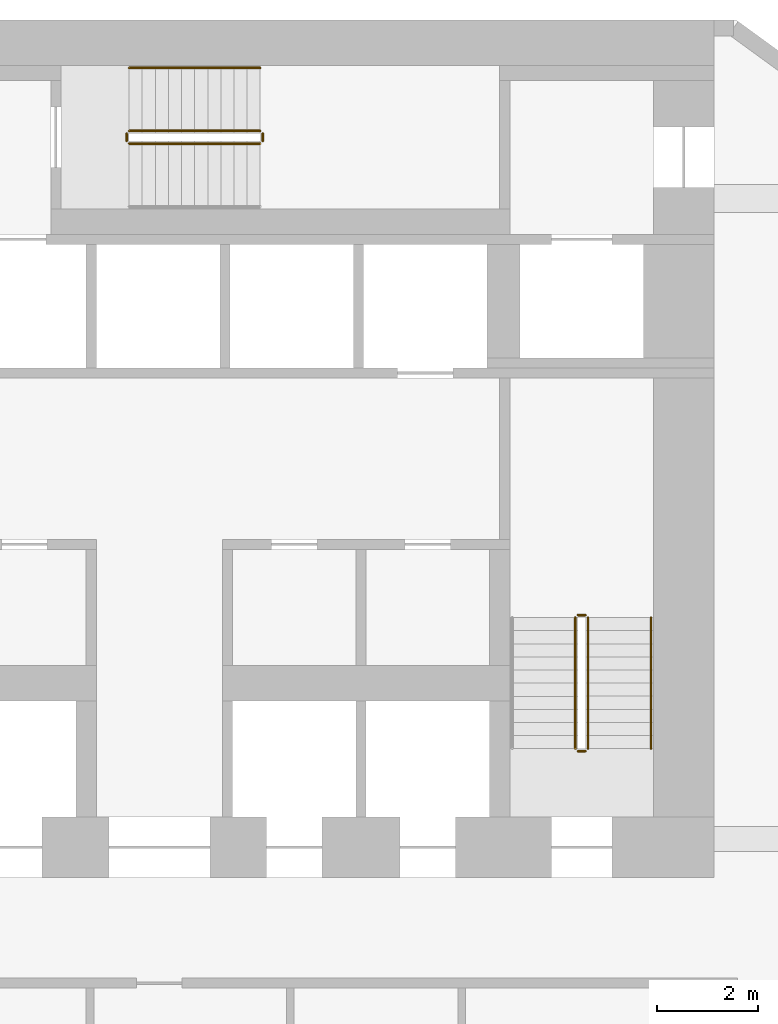
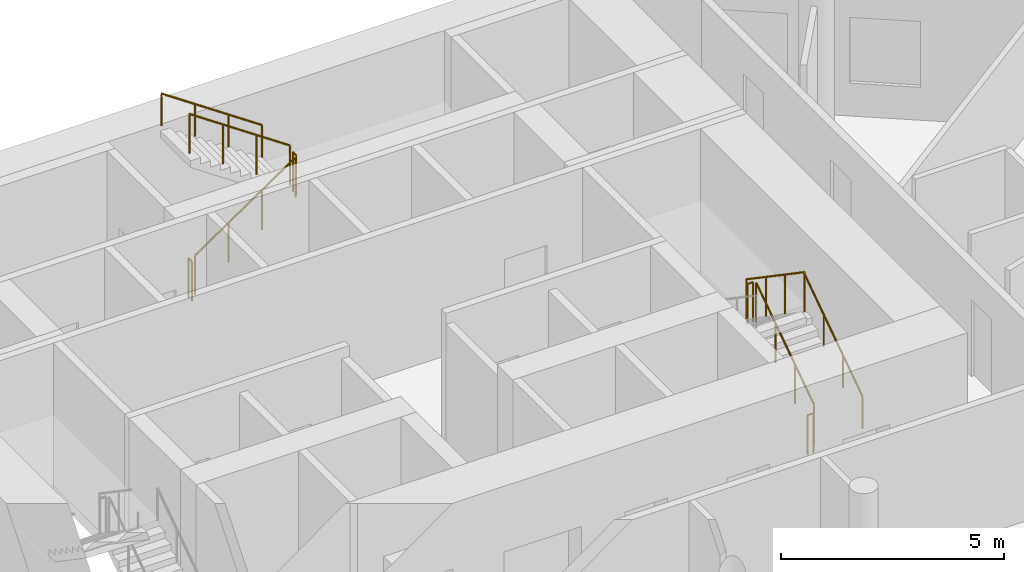
# One storey, part 9 of 9: 10 railings.
"""IFC4 building model written with IfcOpenShell, lengths in metres."""

from ifc_helpers import new_model, si_unit, direction, frame, origin, origin_2d, place, context, subcontext, project, spatial, circle, extrude, material, type_object, element, save


model = new_model("IFC4")

# Units and contexts
model_context = context("Model", 3, precision=1e-05, world=origin(), true_north=direction((0.0, 1.0)))
body_context = subcontext(model_context, "Body", "Model", "MODEL_VIEW")
ifc_project = project(units=[si_unit("LENGTHUNIT", "METRE"), si_unit("AREAUNIT", "SQUARE_METRE"), si_unit("VOLUMEUNIT", "CUBIC_METRE"), si_unit("PLANEANGLEUNIT", "RADIAN"), si_unit("MASSUNIT", "GRAM", prefix="KILO")], contexts=[model_context])

# Site, building, storey
site_placement = place(None, origin())
site = spatial("IfcSite", under=ifc_project, at=site_placement, CompositionType="ELEMENT")
building_placement = place(site_placement, origin())
building = spatial("IfcBuilding", under=site, at=building_placement, Name="White Candle Pilgrim Tower", CompositionType="ELEMENT")
storey_placement = place(building_placement, frame((0.0, 0.0, 50.699951171875)))
storey = spatial("IfcBuildingStorey", under=building, at=storey_placement, Name="L09", CompositionType="ELEMENT", Elevation=50.699951171875)

# Railings
ifc_material = material(Name="Stainless steel", Category="steel")
railing_type_1 = type_object("IfcRailingType", Name="Stair guard stainless steel 1100 mm", PredefinedType="GUARDRAIL", material=ifc_material)
railing_1_placement = place(storey_placement, frame((78.5, 73.550048828125, 0.17724609375)))
element("IfcRailing", 1, at=railing_1_placement, inside=storey, type_object=railing_type_1, Name="L09 ST2 stair guard 1", PredefinedType="GUARDRAIL", context=body_context, shape_type="SweptSolid", body=[
    extrude(circle(Radius=0.02392578125, at=origin_2d()), frame((0.0, 0.0, 1.076171875), z_axis=(0.0, 0.826215852431, 0.563353676824), x_axis=(-1.0, 0.0, 0.0)), (0.0, 0.0, 1.0), 3.146728515625),
    extrude(circle(Radius=0.02099609375, at=origin_2d()), origin(), (0.0, 0.0, 1.0), 1.052001953125),
    extrude(circle(Radius=0.02099609375, at=origin_2d()), frame((0.0, 0.86669921875, 0.5908203125)), (0.0, 0.0, 1.0), 1.052001953125),
    extrude(circle(Radius=0.02099609375, at=origin_2d()), frame((0.0, 1.733154296875, 1.181884765625)), (0.0, 0.0, 1.0), 1.052001953125),
    extrude(circle(Radius=0.02099609375, at=origin_2d()), frame((0.0, 2.599853515625, 1.772705078125)), (0.0, 0.0, 1.0), 1.052001953125),
])
railing_2_placement = place(storey_placement, frame((78.449951171875, 76.199951171875, 1.949951171875)))
element("IfcRailing", 2, at=railing_2_placement, inside=storey, type_object=railing_type_1, Name="L09 ST2 stair guard 2", PredefinedType="GUARDRAIL", context=body_context, shape_type="SweptSolid", body=[
    extrude(circle(Radius=0.02392578125, at=origin_2d()), frame((0.0, 0.0, 1.076171875), z_axis=(-1.0, 0.0, 0.0), x_axis=(0.0, -1.0, 0.0)), (0.0, 0.0, 1.0), 0.14990234375),
    extrude(circle(Radius=0.02099609375, at=origin_2d()), origin(), (0.0, 0.0, 1.0), 1.052001953125),
    extrude(circle(Radius=0.02099609375, at=origin_2d()), frame((-0.14990234375, 0.0, 0.0)), (0.0, 0.0, 1.0), 1.052001953125),
])
railing_3_placement = place(storey_placement, frame((78.25, 76.14990234375, 2.12744140625)))
element("IfcRailing", 3, at=railing_3_placement, inside=storey, type_object=railing_type_1, Name="L09 ST2 stair guard 3", PredefinedType="GUARDRAIL", context=body_context, shape_type="SweptSolid", body=[
    extrude(circle(Radius=0.02392578125, at=origin_2d()), frame((0.0, 0.0, 1.076171875), z_axis=(0.0, -0.826215852431, 0.563353676824), x_axis=(1.0, 0.0, 0.0)), (0.0, 0.0, 1.0), 3.146728515625),
    extrude(circle(Radius=0.02099609375, at=origin_2d()), origin(), (0.0, 0.0, 1.0), 1.052001953125),
    extrude(circle(Radius=0.02099609375, at=origin_2d()), frame((0.0, -0.86669921875, 0.5908203125)), (0.0, 0.0, 1.0), 1.052001953125),
    extrude(circle(Radius=0.02099609375, at=origin_2d()), frame((0.0, -1.733154296875, 1.181884765625)), (0.0, 0.0, 1.0), 1.052001953125),
    extrude(circle(Radius=0.02099609375, at=origin_2d()), frame((0.0, -2.599853515625, 1.772705078125)), (0.0, 0.0, 1.0), 1.052001953125),
])
railing_4_placement = place(storey_placement, frame((78.449951171875, 73.5, 0.0)))
element("IfcRailing", 4, at=railing_4_placement, inside=storey, type_object=railing_type_1, Name="L09 ST2 stair guard 4", PredefinedType="GUARDRAIL", context=body_context, shape_type="SweptSolid", body=[
    extrude(circle(Radius=0.02392578125, at=origin_2d()), frame((0.0, 0.0, 1.076171875), z_axis=(-1.0, 0.0, 0.0), x_axis=(0.0, -1.0, 0.0)), (0.0, 0.0, 1.0), 0.14990234375),
    extrude(circle(Radius=0.02099609375, at=origin_2d()), origin(), (0.0, 0.0, 1.0), 1.052001953125),
    extrude(circle(Radius=0.02099609375, at=origin_2d()), frame((-0.14990234375, 0.0, 0.0)), (0.0, 0.0, 1.0), 1.052001953125),
])
railing_5_placement = place(storey_placement, frame((69.39990234375, 85.550048828125, 0.17724609375)))
element("IfcRailing", 5, at=railing_5_placement, inside=storey, type_object=railing_type_1, Name="L09 ST3 stair guard 1", PredefinedType="GUARDRAIL", context=body_context, shape_type="SweptSolid", body=[
    extrude(circle(Radius=0.02392578125, at=origin_2d()), frame((0.0, 0.0, 1.076171875), z_axis=(0.826240473404, 0.0, 0.563317565952), x_axis=(0.0, 1.0, 0.0)), (0.0, 0.0, 1.0), 3.14697265625),
    extrude(circle(Radius=0.02099609375, at=origin_2d()), origin(), (0.0, 0.0, 1.0), 1.052001953125),
    extrude(circle(Radius=0.02099609375, at=origin_2d()), frame((0.86669921875, 0.0, 0.5908203125)), (0.0, 0.0, 1.0), 1.052001953125),
    extrude(circle(Radius=0.02099609375, at=origin_2d()), frame((1.7333984375, 0.0, 1.181884765625)), (0.0, 0.0, 1.0), 1.052001953125),
    extrude(circle(Radius=0.02099609375, at=origin_2d()), frame((2.60009765625, 0.0, 1.772705078125)), (0.0, 0.0, 1.0), 1.052001953125),
])
railing_6_placement = place(storey_placement, frame((72.050048828125, 85.60009765625, 1.949951171875)))
element("IfcRailing", 6, at=railing_6_placement, inside=storey, type_object=railing_type_1, Name="L09 ST3 stair guard 2", PredefinedType="GUARDRAIL", context=body_context, shape_type="SweptSolid", body=[
    extrude(circle(Radius=0.02392578125, at=origin_2d()), frame((0.0, 0.0, 1.076171875), z_axis=(0.0, 1.0, 0.0), x_axis=(-1.0, 0.0, 0.0)), (0.0, 0.0, 1.0), 0.14990234375),
    extrude(circle(Radius=0.02099609375, at=origin_2d()), origin(), (0.0, 0.0, 1.0), 1.052001953125),
    extrude(circle(Radius=0.02099609375, at=origin_2d()), frame((0.0, 0.14990234375, 0.0)), (0.0, 0.0, 1.0), 1.052001953125),
])
railing_7_placement = place(storey_placement, frame((72.0, 85.800048828125, 2.12744140625)))
element("IfcRailing", 7, at=railing_7_placement, inside=storey, type_object=railing_type_1, Name="L09 ST3 stair guard 3", PredefinedType="GUARDRAIL", context=body_context, shape_type="SweptSolid", body=[
    extrude(circle(Radius=0.02392578125, at=origin_2d()), frame((0.0, 0.0, 1.076171875), z_axis=(-0.826240473404, 0.0, 0.563317565952), x_axis=(0.0, -1.0, 0.0)), (0.0, 0.0, 1.0), 3.14697265625),
    extrude(circle(Radius=0.02099609375, at=origin_2d()), origin(), (0.0, 0.0, 1.0), 1.052001953125),
    extrude(circle(Radius=0.02099609375, at=origin_2d()), frame((-0.86669921875, 0.0, 0.5908203125)), (0.0, 0.0, 1.0), 1.052001953125),
    extrude(circle(Radius=0.02099609375, at=origin_2d()), frame((-1.7333984375, 0.0, 1.181884765625)), (0.0, 0.0, 1.0), 1.052001953125),
    extrude(circle(Radius=0.02099609375, at=origin_2d()), frame((-2.60009765625, 0.0, 1.772705078125)), (0.0, 0.0, 1.0), 1.052001953125),
])
railing_8_placement = place(storey_placement, frame((69.35009765625, 85.60009765625, 0.0)))
element("IfcRailing", 8, at=railing_8_placement, inside=storey, type_object=railing_type_1, Name="L09 ST3 stair guard 4", PredefinedType="GUARDRAIL", context=body_context, shape_type="SweptSolid", body=[
    extrude(circle(Radius=0.02392578125, at=origin_2d()), frame((0.0, 0.0, 1.076171875), z_axis=(0.0, 1.0, 0.0), x_axis=(-1.0, 0.0, 0.0)), (0.0, 0.0, 1.0), 0.14990234375),
    extrude(circle(Radius=0.02099609375, at=origin_2d()), origin(), (0.0, 0.0, 1.0), 1.052001953125),
    extrude(circle(Radius=0.02099609375, at=origin_2d()), frame((0.0, 0.14990234375, 0.0)), (0.0, 0.0, 1.0), 1.052001953125),
])
railing_type_2 = type_object("IfcRailingType", Name="Stair handrail stainless steel", PredefinedType="HANDRAIL", material=ifc_material)
railing_9_placement = place(storey_placement, frame((79.75, 73.550048828125, 0.17724609375)))
element("IfcRailing", 9, at=railing_9_placement, inside=storey, type_object=railing_type_2, Name="L09 ST2 stair handrail 1", PredefinedType="HANDRAIL", context=body_context, shape_type="SweptSolid", body=[
    extrude(circle(Radius=0.02392578125, at=origin_2d()), frame((0.0, 0.0, 0.8759765625), z_axis=(0.0, 0.826215852431, 0.563353676824), x_axis=(-1.0, 0.0, 0.0)), (0.0, 0.0, 1.0), 3.146728515625),
    extrude(circle(Radius=0.02099609375, at=origin_2d()), origin(), (0.0, 0.0, 1.0), 0.851806640625),
    extrude(circle(Radius=0.02099609375, at=origin_2d()), frame((0.0, 0.86669921875, 0.5908203125)), (0.0, 0.0, 1.0), 0.851806640625),
    extrude(circle(Radius=0.02099609375, at=origin_2d()), frame((0.0, 1.733154296875, 1.181884765625)), (0.0, 0.0, 1.0), 0.851806640625),
    extrude(circle(Radius=0.02099609375, at=origin_2d()), frame((0.0, 2.599853515625, 1.772705078125)), (0.0, 0.0, 1.0), 0.851806640625),
])
railing_10_placement = place(storey_placement, frame((72.0, 87.050048828125, 2.12744140625)))
element("IfcRailing", 10, at=railing_10_placement, inside=storey, type_object=railing_type_2, Name="L09 ST3 stair handrail 2", PredefinedType="HANDRAIL", context=body_context, shape_type="SweptSolid", body=[
    extrude(circle(Radius=0.02392578125, at=origin_2d()), frame((0.0, 0.0, 0.8759765625), z_axis=(-0.826240473404, 0.0, 0.563317565952), x_axis=(0.0, -1.0, 0.0)), (0.0, 0.0, 1.0), 3.14697265625),
    extrude(circle(Radius=0.02099609375, at=origin_2d()), origin(), (0.0, 0.0, 1.0), 0.851806640625),
    extrude(circle(Radius=0.02099609375, at=origin_2d()), frame((-0.86669921875, 0.0, 0.5908203125)), (0.0, 0.0, 1.0), 0.851806640625),
    extrude(circle(Radius=0.02099609375, at=origin_2d()), frame((-1.7333984375, 0.0, 1.181884765625)), (0.0, 0.0, 1.0), 0.851806640625),
    extrude(circle(Radius=0.02099609375, at=origin_2d()), frame((-2.60009765625, 0.0, 1.772705078125)), (0.0, 0.0, 1.0), 0.851806640625),
])

save(model, "model.ifc")
